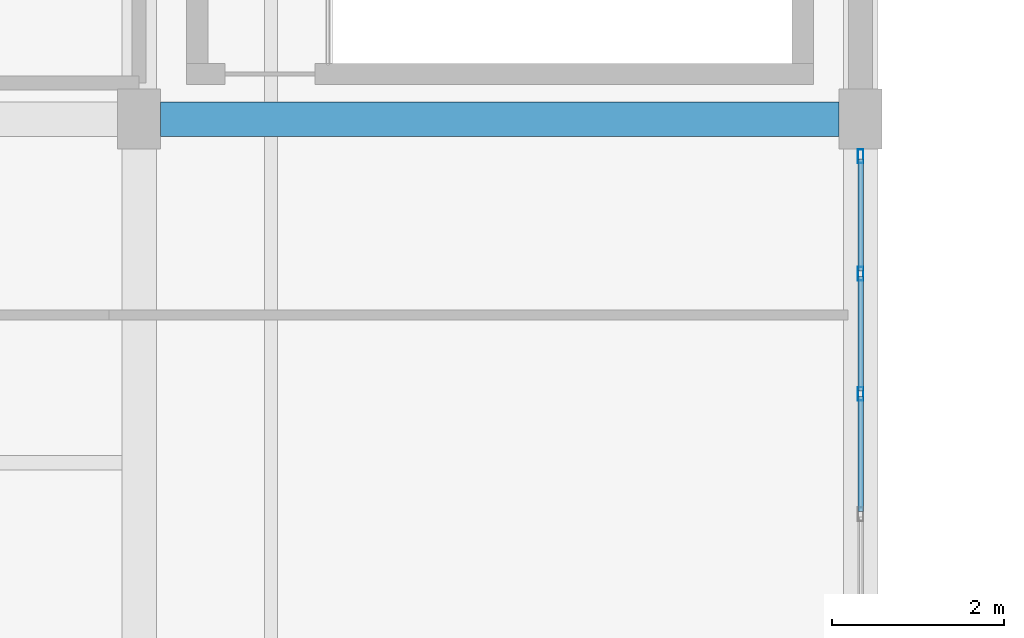
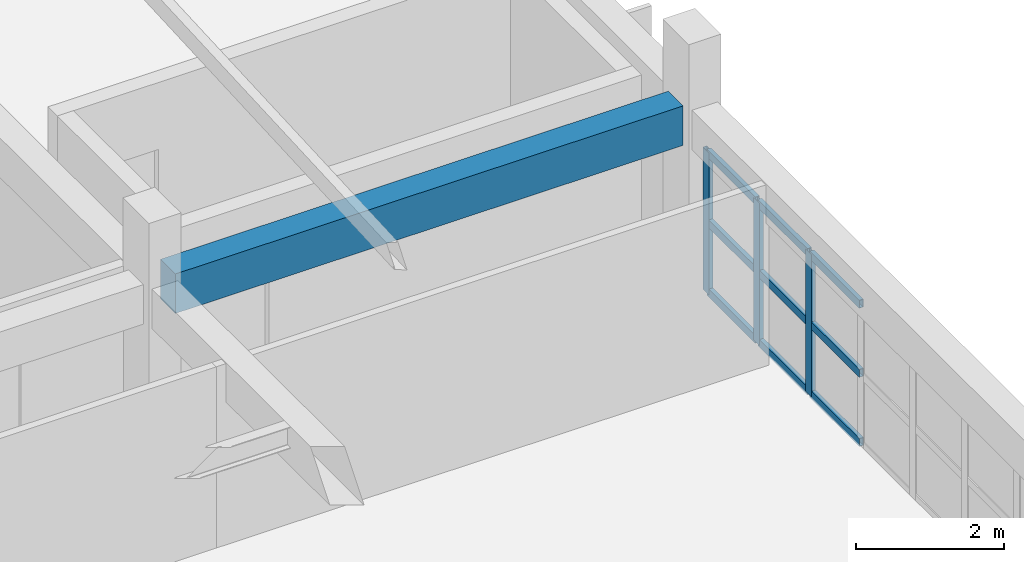
# One storey, part 30 of 127: 12 members, 1 beam, 1 element without a shape of its own.
"""IFC4 building model written with IfcOpenShell, lengths in metres."""

import ifcopenshell
import ifcopenshell.guid

model = None  # the IFC model being written
_history = None  # IfcOwnerHistory: only IFC2X3 demands one
_inside = {}  # id of a spatial element -> (the spatial element, [elements in it])
_under = {}  # id of a project, library or spatial element -> (it, [spatial elements below it])
_declared = {}  # id of a project -> (the project, [libraries it declares])
_typed = {}  # id of a type object -> (the type object, [elements of that type])
_made_of = {}  # id of a material, layer set ... -> (it, [elements and type objects made of it])


def new_model(schema):
    """Start an empty IFC model of exactly this schema.

    Asked for "IFC4X3", IfcOpenShell would pick the latest addendum, in which some entities
    have other attributes; the version numbers below select the first issue.
    IFC2X3 requires an IfcOwnerHistory on every rooted entity: one is made here for all.
    """
    global model, _history
    if schema == "IFC4X3":
        model = ifcopenshell.file(schema_version=(4, 3, 0, 0))
    else:
        model = ifcopenshell.file(schema=schema)
    _inside.clear()
    _under.clear()
    _declared.clear()
    _typed.clear()
    _made_of.clear()
    _history = None
    if model.schema == "IFC2X3":
        org = make("IfcOrganization", Name="unknown")
        user = make(
            "IfcPersonAndOrganization",
            ThePerson=make("IfcPerson", FamilyName="unknown"),
            TheOrganization=org,
        )
        app = make(
            "IfcApplication",
            ApplicationDeveloper=org,
            Version="unknown",
            ApplicationFullName="unknown",
            ApplicationIdentifier="unknown",
        )
        _history = make(
            "IfcOwnerHistory",
            OwningUser=user,
            OwningApplication=app,
            ChangeAction="ADDED",
            CreationDate=0,
        )
    return model


def make(cls, **values):
    """One entity of the class cls with the attributes given. An attribute that is None is left unset."""
    return model.create_entity(
        cls, **{name: value for name, value in values.items() if value is not None}
    )


def rooted(cls, **values):
    """An entity with a GlobalId (a new one), such as an element, a storey or a relation."""
    return make(cls, GlobalId=ifcopenshell.guid.new(), OwnerHistory=_history, **values)


def si_unit(unit_type, name, prefix=None):
    """IfcSIUnit, for example si_unit("LENGTHUNIT", "METRE", prefix="MILLI")."""
    return make("IfcSIUnit", UnitType=unit_type, Prefix=prefix, Name=name)


def assignment(units):
    """IfcUnitAssignment: the units of a project."""
    return None if units is None else make("IfcUnitAssignment", Units=units)


def point(xyz):
    """IfcCartesianPoint."""
    return None if xyz is None else make("IfcCartesianPoint", Coordinates=xyz)


def direction(xyz):
    """IfcDirection."""
    return None if xyz is None else make("IfcDirection", DirectionRatios=xyz)


def frame(location, z_axis=None, x_axis=None):
    """IfcAxis2Placement3D, a coordinate frame: its origin and axes. An axis left out is left unset."""
    return make(
        "IfcAxis2Placement3D",
        Location=point(location),
        Axis=direction(z_axis),
        RefDirection=direction(x_axis),
    )


def frame_2d(location, x_axis=None):
    """IfcAxis2Placement2D, a coordinate frame in the plane: its origin and x axis."""
    return make(
        "IfcAxis2Placement2D", Location=point(location), RefDirection=direction(x_axis)
    )


def origin():
    """The frame at (0, 0, 0) with its axes left unset."""
    return frame((0.0, 0.0, 0.0))


def origin_2d():
    """The frame at (0, 0) in the plane with its x axis left unset."""
    return frame_2d((0.0, 0.0))


def place(relative_to, where):
    """IfcLocalPlacement: puts the frame where relative to a parent placement (None: the world)."""
    return make(
        "IfcLocalPlacement", PlacementRelTo=relative_to, RelativePlacement=where
    )


def context(
    kind, dimensions, precision=None, world=None, true_north=None, identifier=None
):
    """IfcGeometricRepresentationContext, for example the 3D "Model" context."""
    return make(
        "IfcGeometricRepresentationContext",
        ContextIdentifier=identifier,
        ContextType=kind,
        CoordinateSpaceDimension=dimensions,
        Precision=precision,
        WorldCoordinateSystem=world,
        TrueNorth=true_north,
    )


def subcontext(parent, identifier, kind, view, scale=None):
    """IfcGeometricRepresentationSubContext, for example "Body" below "Model"."""
    return make(
        "IfcGeometricRepresentationSubContext",
        ContextIdentifier=identifier,
        ContextType=kind,
        ParentContext=parent,
        TargetScale=scale,
        TargetView=view,
    )


def project(units=None, contexts=None):
    """IfcProject with its units and contexts."""
    return rooted(
        "IfcProject",
        Name="project",
        RepresentationContexts=contexts,
        UnitsInContext=assignment(units),
    )


def spatial(cls, under=None, at=None, **own):
    """A site, building, storey or space (cls), placed at a placement, below another one or the project."""
    s = rooted(cls, ObjectPlacement=at, **own)
    if under is not None:
        _under.setdefault(under.id(), (under, []))[1].append(s)
    return s


def profile(cls, at=None, kind="AREA", **sizes):
    """A parametric profile (cls). Its sizes go by their IFC names, for example OverallWidth=200.0."""
    return make(cls, ProfileType=kind, Position=at, **sizes)


def rectangle(**sizes):
    """IfcRectangleProfileDef."""
    return profile("IfcRectangleProfileDef", **sizes)


def hollow_rectangle(**sizes):
    """IfcRectangleHollowProfileDef."""
    return profile("IfcRectangleHollowProfileDef", **sizes)


def extrude(swept, where, along, depth):
    """IfcExtrudedAreaSolid: the profile swept, set in the frame where, extruded along a direction by depth."""
    return make(
        "IfcExtrudedAreaSolid",
        SweptArea=swept,
        Position=where,
        ExtrudedDirection=direction(along),
        Depth=depth,
    )


def shape(context_of_items, identifier, shape_type, items):
    """IfcShapeRepresentation: the items that make up one representation, for example the "Body"."""
    return make(
        "IfcShapeRepresentation",
        ContextOfItems=context_of_items,
        RepresentationIdentifier=identifier,
        RepresentationType=shape_type,
        Items=items,
    )


def material(Name=None, Category=None):
    """IfcMaterial."""
    return make("IfcMaterial", Name=Name, Category=Category)


def material_profile(
    of_material, cross_section, Name=None, Category=None, Priority=None
):
    """IfcMaterialProfile: a cross section and its material."""
    return make(
        "IfcMaterialProfile",
        Name=Name,
        Material=of_material,
        Profile=cross_section,
        Priority=Priority,
        Category=Category,
    )


def profile_set(profiles, Name=None, composite=None):
    """IfcMaterialProfileSet."""
    return make(
        "IfcMaterialProfileSet",
        Name=Name,
        MaterialProfiles=profiles,
        CompositeProfile=composite,
    )


def made_of(thing, what):
    """Note that an element or type object is made of a material, layer set ...; save() writes the relation."""
    if what is not None:
        _made_of.setdefault(what.id(), (what, []))[1].append(thing)
    return thing


def type_object(cls, material=None, **own):
    """A type object (cls), such as IfcWallType, which elements share."""
    return made_of(rooted(cls, **own), material)


def element(
    cls,
    number,
    at=None,
    inside=None,
    cuts=None,
    type_object=None,
    material=None,
    context=None,
    identifier="Body",
    shape_type=None,
    held_by="IfcProductDefinitionShape",
    body=None,
    shapes=None,
    **own,
):
    """One element of the class cls, such as IfcWall. Its Tag is "e" and its number.

    at: its placement. inside: the storey or other place that contains it. cuts: it is an
    opening in that element (IfcRelVoidsElement). A single representation is given by context,
    identifier, shape_type and body (its items); several are given by shapes. held_by: the class
    of the entity that holds the representations. save() writes the other relations.
    """
    e = rooted(cls, Tag="e%d" % number, ObjectPlacement=at, **own)
    if body is not None:
        shapes = [shape(context, identifier, shape_type, body)]
    if shapes is not None:
        e.Representation = make(held_by, Representations=shapes)
    if inside is not None:
        _inside.setdefault(inside.id(), (inside, []))[1].append(e)
    if cuts is not None:
        rooted(
            "IfcRelVoidsElement", RelatingBuildingElement=cuts, RelatedOpeningElement=e
        )
    if type_object is not None:
        _typed.setdefault(type_object.id(), (type_object, []))[1].append(e)
    return made_of(e, material)


def aggregate(whole, parts):
    """IfcRelAggregates: a whole, such as a stair, and the parts it consists of."""
    return rooted("IfcRelAggregates", RelatingObject=whole, RelatedObjects=parts)


def save(model, path):
    """Write the relations noted so far, then the file.

    IfcRelAggregates (storeys below a building ...), IfcRelContainedInSpatialStructure (elements
    in a storey), IfcRelDefinesByType, IfcRelAssociatesMaterial and IfcRelDeclares: one each for
    every whole, place, type object, material and project.
    """
    for whole, parts in _under.values():
        aggregate(whole, parts)
    for where, things in _inside.values():
        rooted(
            "IfcRelContainedInSpatialStructure",
            RelatedElements=things,
            RelatingStructure=where,
        )
    for kind, things in _typed.values():
        rooted("IfcRelDefinesByType", RelatedObjects=things, RelatingType=kind)
    for what, things in _made_of.values():
        rooted("IfcRelAssociatesMaterial", RelatedObjects=things, RelatingMaterial=what)
    for by, libraries in _declared.values():
        rooted("IfcRelDeclares", RelatingContext=by, RelatedDefinitions=libraries)
    model.write(path)


model = new_model("IFC4")

# Units and contexts
model_context = context("Model", 3, precision=1e-05, world=origin(), true_north=direction((0.0, 1.0)))
body_context = subcontext(model_context, "Body", "Model", "MODEL_VIEW")
ifc_project = project(units=[si_unit("LENGTHUNIT", "METRE"), si_unit("AREAUNIT", "SQUARE_METRE"), si_unit("VOLUMEUNIT", "CUBIC_METRE"), si_unit("PLANEANGLEUNIT", "RADIAN"), si_unit("MASSUNIT", "GRAM", prefix="KILO")], contexts=[model_context])

# Site, building, storey
site_placement = place(None, origin())
site = spatial("IfcSite", under=ifc_project, at=site_placement, CompositionType="ELEMENT")
building_placement = place(site_placement, origin())
building = spatial("IfcBuilding", under=site, at=building_placement, Name="Kestramere Prow Commons", CompositionType="ELEMENT")
storey_placement = place(building_placement, frame((0.0, 0.0, 8.39990234375)))
storey = spatial("IfcBuildingStorey", under=building, at=storey_placement, Name="L02", CompositionType="ELEMENT", Elevation=8.39990234375)

# Beam
ifc_material_1 = material(Name="Precast concrete C40/50", Category="concrete")
ifc_material_profile_1 = material_profile(ifc_material_1, rectangle(XDim=0.39990234375, YDim=0.64990234375, at=origin_2d()), Name="PC-BM 400x650")
ifc_profile_set_1 = profile_set([ifc_material_profile_1], Name="Precast concrete C40/50")
beam_type = type_object("IfcBeamType", Name="BM-MK-01 PC-BM 400x650", PredefinedType="BEAM", material=ifc_profile_set_1)
beam_placement = place(storey_placement, frame((103.85009765625, 12.0, 2.675048828125), z_axis=(1.0, 0.0, 0.0), x_axis=(0.0, 1.0, 0.0)))
element("IfcBeam", 1, at=beam_placement, inside=storey, type_object=beam_type, Name="Market Spine L02 Beam X 2-6", PredefinedType="BEAM", context=body_context, shape_type="SweptSolid", body=[
    extrude(rectangle(XDim=0.39990234375, YDim=0.64990234375, at=origin_2d()), origin(), (0.0, 0.0, 1.0), 7.89990234375),
])

# Curtain wall, members
ifc_material_2 = material(Name="Anodised Aluminium and Low-E Glass", Category="aluminium")
curtain_wall_type = type_object("IfcCurtainWallType", Name="CW-32 Glazed Curtain Wall 11200x2340", PredefinedType="USERDEFINED", material=ifc_material_2)
curtain_wall_placement = place(storey_placement, origin())
curtain_wall = element("IfcCurtainWall", 2, at=curtain_wall_placement, inside=storey, type_object=curtain_wall_type, Name="Market L02 E Glazing", ObjectType="GLAZED CURTAIN WALL", PredefinedType="USERDEFINED")
ifc_material_3 = material(Name="Anodised Aluminium 6063-T6", Category="aluminium")
ifc_material_profile_2 = material_profile(ifc_material_3, hollow_rectangle(XDim=0.06494140625, YDim=0.159912109375, WallThickness=0.00390625, at=origin_2d()), Name="ALU-MUL 65x160")
ifc_profile_set_2 = profile_set([ifc_material_profile_2], Name="Anodised Aluminium 6063-T6")
member_type_1 = type_object("IfcMemberType", Name="CW-MUL-65x160", PredefinedType="MULLION", material=ifc_profile_set_2)
member_1_placement = place(storey_placement, frame((112.0, 11.5673828125, 0.0), z_axis=(0.0, 0.0, 1.0), x_axis=(1.0, 0.0, 0.0)))
member_1 = element("IfcMember", 3, at=member_1_placement, type_object=member_type_1, Name="CW-32 mullion 1", PredefinedType="MULLION", context=body_context, shape_type="SweptSolid", body=[
    extrude(hollow_rectangle(XDim=0.06494140625, YDim=0.159912109375, WallThickness=0.00390625, at=origin_2d()), origin(), (0.0, 0.0, 1.0), 2.340087890625),
])
member_2_placement = place(storey_placement, frame((112.0, 10.199951171875, 0.0), z_axis=(0.0, 0.0, 1.0), x_axis=(1.0, 0.0, 0.0)))
member_2 = element("IfcMember", 4, at=member_2_placement, type_object=member_type_1, Name="CW-32 mullion 2", PredefinedType="MULLION", context=body_context, shape_type="SweptSolid", body=[
    extrude(hollow_rectangle(XDim=0.06494140625, YDim=0.159912109375, WallThickness=0.00390625, at=origin_2d()), origin(), (0.0, 0.0, 1.0), 2.340087890625),
])
member_3_placement = place(storey_placement, frame((112.0, 8.800048828125, 0.0), z_axis=(0.0, 0.0, 1.0), x_axis=(1.0, 0.0, 0.0)))
member_3 = element("IfcMember", 5, at=member_3_placement, type_object=member_type_1, Name="CW-32 mullion 3", PredefinedType="MULLION", context=body_context, shape_type="SweptSolid", body=[
    extrude(hollow_rectangle(XDim=0.06494140625, YDim=0.159912109375, WallThickness=0.00390625, at=origin_2d()), origin(), (0.0, 0.0, 1.0), 2.340087890625),
])
ifc_material_profile_3 = material_profile(ifc_material_3, hollow_rectangle(XDim=0.06494140625, YDim=0.1298828125, WallThickness=0.00390625, at=origin_2d()), Name="ALU-TRN 65x130")
ifc_profile_set_3 = profile_set([ifc_material_profile_3], Name="Anodised Aluminium 6063-T6")
member_type_2 = type_object("IfcMemberType", Name="CW-TRN-65x130", PredefinedType="USERDEFINED", material=ifc_profile_set_3)
member_4_placement = place(storey_placement, frame((112.0, 11.534912109375, 0.03271484375), z_axis=(0.0, -1.0, 0.0), x_axis=(1.0, 0.0, 0.0)))
member_4 = element("IfcMember", 6, at=member_4_placement, type_object=member_type_2, Name="CW-32 transom 1.1", ObjectType="TRANSOM", PredefinedType="USERDEFINED", context=body_context, shape_type="SweptSolid", body=[
    extrude(hollow_rectangle(XDim=0.06494140625, YDim=0.1298828125, WallThickness=0.00390625, at=origin_2d()), origin(), (0.0, 0.0, 1.0), 1.302490234375),
])
member_5_placement = place(storey_placement, frame((112.0, 11.534912109375, 1.170166015625), z_axis=(0.0, -1.0, 0.0), x_axis=(1.0, 0.0, 0.0)))
member_5 = element("IfcMember", 7, at=member_5_placement, type_object=member_type_2, Name="CW-32 transom 1.2", ObjectType="TRANSOM", PredefinedType="USERDEFINED", context=body_context, shape_type="SweptSolid", body=[
    extrude(hollow_rectangle(XDim=0.06494140625, YDim=0.1298828125, WallThickness=0.00390625, at=origin_2d()), origin(), (0.0, 0.0, 1.0), 1.302490234375),
])
member_6_placement = place(storey_placement, frame((112.0, 11.534912109375, 2.3076171875), z_axis=(0.0, -1.0, 0.0), x_axis=(1.0, 0.0, 0.0)))
member_6 = element("IfcMember", 8, at=member_6_placement, type_object=member_type_2, Name="CW-32 transom 1.3", ObjectType="TRANSOM", PredefinedType="USERDEFINED", context=body_context, shape_type="SweptSolid", body=[
    extrude(hollow_rectangle(XDim=0.06494140625, YDim=0.1298828125, WallThickness=0.00390625, at=origin_2d()), origin(), (0.0, 0.0, 1.0), 1.302490234375),
])
member_7_placement = place(storey_placement, frame((112.0, 10.16748046875, 0.03271484375), z_axis=(0.0, -1.0, 0.0), x_axis=(1.0, 0.0, 0.0)))
member_7 = element("IfcMember", 9, at=member_7_placement, type_object=member_type_2, Name="CW-32 transom 2.1", ObjectType="TRANSOM", PredefinedType="USERDEFINED", context=body_context, shape_type="SweptSolid", body=[
    extrude(hollow_rectangle(XDim=0.06494140625, YDim=0.1298828125, WallThickness=0.00390625, at=origin_2d()), origin(), (0.0, 0.0, 1.0), 1.3349609375),
])
member_8_placement = place(storey_placement, frame((112.0, 10.16748046875, 1.170166015625), z_axis=(0.0, -1.0, 0.0), x_axis=(1.0, 0.0, 0.0)))
member_8 = element("IfcMember", 10, at=member_8_placement, type_object=member_type_2, Name="CW-32 transom 2.2", ObjectType="TRANSOM", PredefinedType="USERDEFINED", context=body_context, shape_type="SweptSolid", body=[
    extrude(hollow_rectangle(XDim=0.06494140625, YDim=0.1298828125, WallThickness=0.00390625, at=origin_2d()), origin(), (0.0, 0.0, 1.0), 1.3349609375),
])
member_9_placement = place(storey_placement, frame((112.0, 10.16748046875, 2.3076171875), z_axis=(0.0, -1.0, 0.0), x_axis=(1.0, 0.0, 0.0)))
member_9 = element("IfcMember", 11, at=member_9_placement, type_object=member_type_2, Name="CW-32 transom 2.3", ObjectType="TRANSOM", PredefinedType="USERDEFINED", context=body_context, shape_type="SweptSolid", body=[
    extrude(hollow_rectangle(XDim=0.06494140625, YDim=0.1298828125, WallThickness=0.00390625, at=origin_2d()), origin(), (0.0, 0.0, 1.0), 1.3349609375),
])
member_10_placement = place(storey_placement, frame((112.0, 8.767578125, 0.03271484375), z_axis=(0.0, -1.0, 0.0), x_axis=(1.0, 0.0, 0.0)))
member_10 = element("IfcMember", 12, at=member_10_placement, type_object=member_type_2, Name="CW-32 transom 3.1", ObjectType="TRANSOM", PredefinedType="USERDEFINED", context=body_context, shape_type="SweptSolid", body=[
    extrude(hollow_rectangle(XDim=0.06494140625, YDim=0.1298828125, WallThickness=0.00390625, at=origin_2d()), origin(), (0.0, 0.0, 1.0), 1.3349609375),
])
member_11_placement = place(storey_placement, frame((112.0, 8.767578125, 1.170166015625), z_axis=(0.0, -1.0, 0.0), x_axis=(1.0, 0.0, 0.0)))
member_11 = element("IfcMember", 13, at=member_11_placement, type_object=member_type_2, Name="CW-32 transom 3.2", ObjectType="TRANSOM", PredefinedType="USERDEFINED", context=body_context, shape_type="SweptSolid", body=[
    extrude(hollow_rectangle(XDim=0.06494140625, YDim=0.1298828125, WallThickness=0.00390625, at=origin_2d()), origin(), (0.0, 0.0, 1.0), 1.3349609375),
])
member_12_placement = place(storey_placement, frame((112.0, 8.767578125, 2.3076171875), z_axis=(0.0, -1.0, 0.0), x_axis=(1.0, 0.0, 0.0)))
member_12 = element("IfcMember", 14, at=member_12_placement, type_object=member_type_2, Name="CW-32 transom 3.3", ObjectType="TRANSOM", PredefinedType="USERDEFINED", context=body_context, shape_type="SweptSolid", body=[
    extrude(hollow_rectangle(XDim=0.06494140625, YDim=0.1298828125, WallThickness=0.00390625, at=origin_2d()), origin(), (0.0, 0.0, 1.0), 1.3349609375),
])
aggregate(curtain_wall, [member_1, member_2, member_3, member_4, member_5, member_6, member_7, member_8, member_9, member_10, member_11, member_12])

save(model, "model.ifc")
